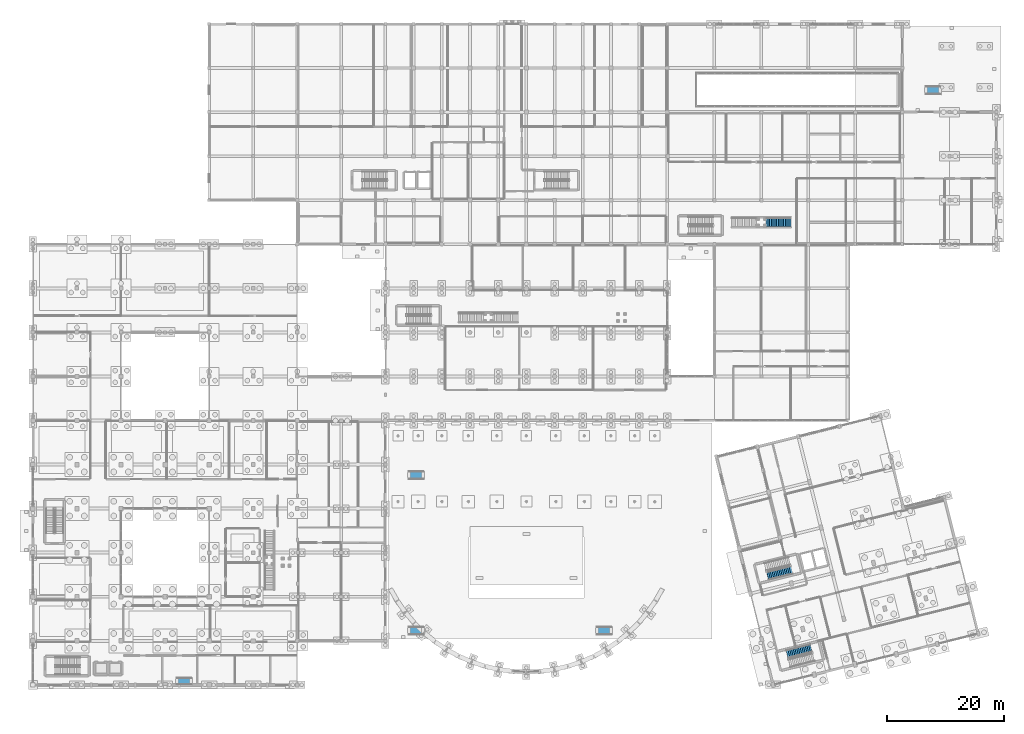
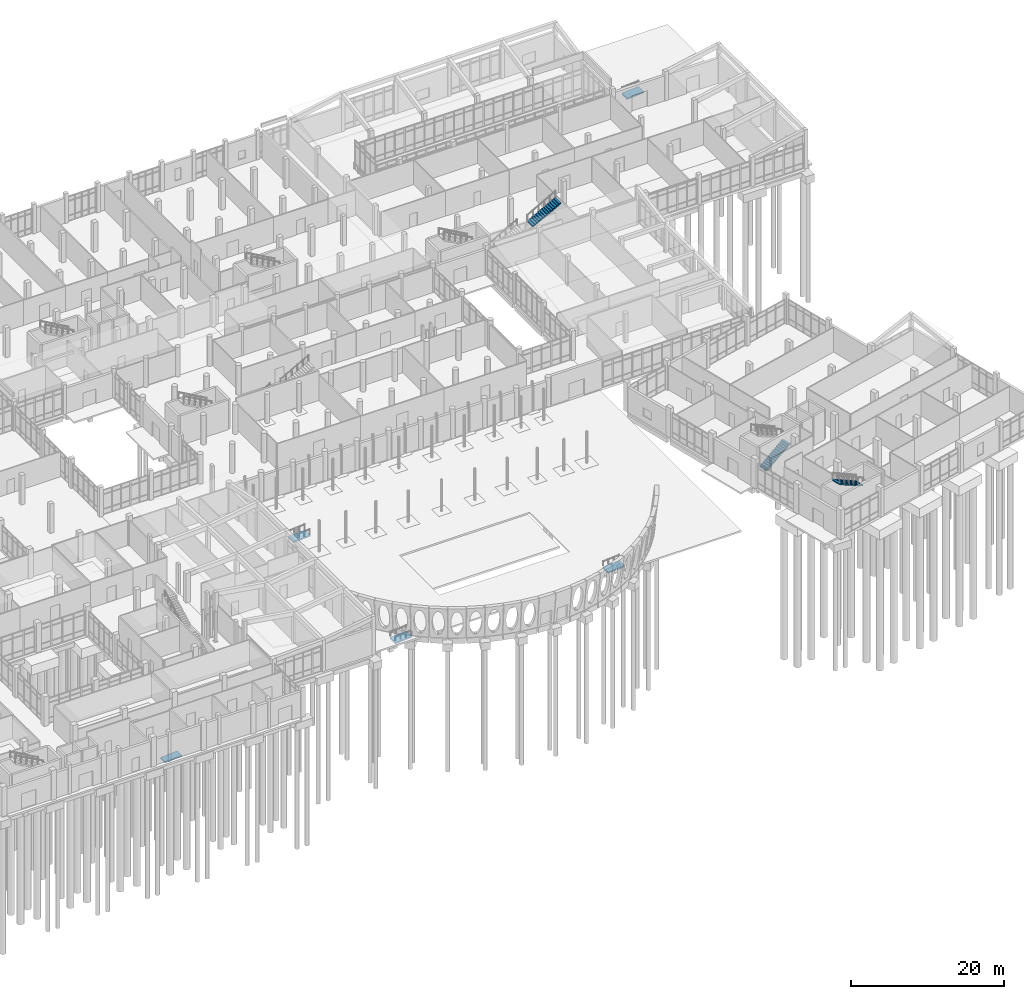
# One storey, part 162 of 173: 5 ramp flights, 3 stair flights, 8 elements without a shape of their own.
"""IFC4 building model written with IfcOpenShell, lengths in metres."""

from ifc_helpers import new_model, si_unit, direction, frame, origin, place, context, subcontext, project, spatial, polyline, outline, extrude, material, layer, layer_set, type_object, element, aggregate, save


model = new_model("IFC4")

# Units and contexts
model_context = context("Model", 3, precision=1e-05, world=origin(), true_north=direction((0.0, 1.0)))
body_context = subcontext(model_context, "Body", "Model", "MODEL_VIEW")
ifc_project = project(units=[si_unit("LENGTHUNIT", "METRE"), si_unit("AREAUNIT", "SQUARE_METRE"), si_unit("VOLUMEUNIT", "CUBIC_METRE"), si_unit("PLANEANGLEUNIT", "RADIAN"), si_unit("MASSUNIT", "GRAM", prefix="KILO")], contexts=[model_context])

# Site, building, storey
site_placement = place(None, origin())
site = spatial("IfcSite", under=ifc_project, at=site_placement, CompositionType="ELEMENT")
building_placement = place(site_placement, origin())
building = spatial("IfcBuilding", under=site, at=building_placement, Name="Mawjan Specialist Oncology Clinic", CompositionType="ELEMENT")
storey_placement = place(building_placement, origin())
storey = spatial("IfcBuildingStorey", under=building, at=storey_placement, Name="L00", CompositionType="ELEMENT", Elevation=0.0)

# Stair, stair flight
ifc_material_1 = material(Name="Concrete C35/45", Category="concrete")
stair_type_1 = type_object("IfcStairType", Name="STR-COMM", PredefinedType="STRAIGHT_RUN_STAIR", material=ifc_material_1)
stair_1_placement = place(storey_placement, origin())
stair_1 = element("IfcStair", 1, at=stair_1_placement, inside=storey, type_object=stair_type_1, Name="Imaging Forum Communicating Stair ST-12", PredefinedType="STRAIGHT_RUN_STAIR")
ifc_material_2 = material(Name="Concrete C35/45", Category="concrete")
ifc_layer_1 = layer(ifc_material_2, 0.159912109375, Name="Concrete C35/45", Category="concrete")
ifc_layer_set_1 = layer_set([ifc_layer_1], Name="Concrete C35/45")
stair_flight_type_1 = type_object("IfcStairFlightType", Name="FLT-COMM", PredefinedType="STRAIGHT", material=ifc_layer_set_1)
stair_flight_1_placement = place(storey_placement, frame((124.800048828125, 79.550048828125, 2.5), z_axis=(0.0, 0.0, 1.0), x_axis=(1.0, 0.0, 0.0)))
stair_flight_1 = element("IfcStairFlight", 2, at=stair_flight_1_placement, type_object=stair_flight_type_1, Name="ST-12 flight 2", NumberOfRisers=15, NumberOfTreads=14, PredefinedType="STRAIGHT", RiserHeight=0.166667, TreadLength=0.3, context=body_context, shape_type="SweptSolid", body=[
    extrude(outline(polyline([(-0.044921875, -0.0400390625), (-0.044921875, 0.0), (0.0, 0.0), (0.0, 0.166748046875), (0.300048828125, 0.166748046875), (0.300048828125, 0.333251953125), (0.60009765625, 0.333251953125), (0.60009765625, 0.5), (0.89990234375, 0.5), (0.89990234375, 0.666748046875), (1.199951171875, 0.666748046875), (1.199951171875, 0.833251953125), (1.5, 0.833251953125), (1.5, 1.0), (1.800048828125, 1.0), (1.800048828125, 1.166748046875), (2.10009765625, 1.166748046875), (2.10009765625, 1.333251953125), (2.39990234375, 1.333251953125), (2.39990234375, 1.5), (2.699951171875, 1.5), (2.699951171875, 1.666748046875), (3.0, 1.666748046875), (3.0, 1.833251953125), (3.300048828125, 1.833251953125), (3.300048828125, 2.0), (3.60009765625, 2.0), (3.60009765625, 2.166748046875), (3.89990234375, 2.166748046875), (3.89990234375, 2.333251953125), (4.199951171875, 2.333251953125), (4.2451171875, 2.333251953125), (4.2451171875, 2.17333984375), (0.044921875, -0.0400390625), (-0.044921875, -0.0400390625)])), frame((0.0, 0.72509765625, 0.0), z_axis=(0.0, -1.0, 0.0), x_axis=(1.0, 0.0, 0.0)), (0.0, 0.0, 1.0), 1.449951171875),
])
aggregate(stair_1, [stair_flight_1])

ifc_material_3 = material(Name="Concrete C35/45", Category="concrete")
stair_type_2 = type_object("IfcStairType", Name="STR-CORE50", PredefinedType="HALF_TURN_STAIR", material=ifc_material_3)
stair_2_placement = place(storey_placement, origin())
stair_2 = element("IfcStair", 3, at=stair_2_placement, inside=storey, type_object=stair_type_2, Name="L00 Exit Stair ST-05", PredefinedType="HALF_TURN_STAIR")
ifc_material_4 = material(Name="Concrete C35/45", Category="concrete")
ifc_layer_2 = layer(ifc_material_4, 0.14990234375, Name="Concrete C35/45", Category="concrete")
ifc_layer_set_2 = layer_set([ifc_layer_2], Name="Concrete C35/45")
stair_flight_type_2 = type_object("IfcStairFlightType", Name="FLT-CORE50", PredefinedType="STRAIGHT", material=ifc_layer_set_2)
stair_flight_2_placement = place(storey_placement, frame((125.090087890625, 19.330322265625, 0.0), z_axis=(0.0, 0.0, 1.0), x_axis=(0.970295726276, 0.2419218956, 0.0)))
stair_flight_2 = element("IfcStairFlight", 4, at=stair_flight_2_placement, type_object=stair_flight_type_2, Name="ST-05 flight 1", NumberOfRisers=15, NumberOfTreads=14, PredefinedType="STRAIGHT", RiserHeight=0.166666667, TreadLength=0.3, context=body_context, shape_type="SweptSolid", body=[
    extrude(outline(polyline([(-0.044921875, -0.0400390625), (-0.044921875, 0.0), (0.0, 0.0), (0.0, 0.166748046875), (0.300048828125, 0.166748046875), (0.300048828125, 0.333251953125), (0.60009765625, 0.333251953125), (0.60009765625, 0.5), (0.89990234375, 0.5), (0.89990234375, 0.666748046875), (1.199951171875, 0.666748046875), (1.199951171875, 0.833251953125), (1.5, 0.833251953125), (1.5, 1.0), (1.800048828125, 1.0), (1.800048828125, 1.166748046875), (2.10009765625, 1.166748046875), (2.10009765625, 1.333251953125), (2.39990234375, 1.333251953125), (2.39990234375, 1.5), (2.699951171875, 1.5), (2.699951171875, 1.666748046875), (3.0, 1.666748046875), (3.0, 1.833251953125), (3.300048828125, 1.833251953125), (3.300048828125, 2.0), (3.60009765625, 2.0), (3.60009765625, 2.166748046875), (3.89990234375, 2.166748046875), (3.89990234375, 2.333251953125), (4.199951171875, 2.333251953125), (4.2451171875, 2.333251953125), (4.2451171875, 2.183349609375), (0.044921875, -0.0400390625), (-0.044921875, -0.0400390625)])), frame((0.0, 0.699951171875, 0.0), z_axis=(0.0, -1.0, 0.0), x_axis=(1.0, 0.0, 0.0)), (0.0, 0.0, 1.0), 1.39990234375),
])
aggregate(stair_2, [stair_flight_2])

stair_3_placement = place(storey_placement, origin())
stair_3 = element("IfcStair", 5, at=stair_3_placement, inside=storey, type_object=stair_type_2, Name="L00 Exit Stair ST-06", PredefinedType="HALF_TURN_STAIR")
stair_flight_3_placement = place(storey_placement, frame((132.479736328125, 7.05322265625, 2.5), z_axis=(0.0, 0.0, 1.0), x_axis=(-0.970295726276, -0.2419218956, 0.0)))
stair_flight_3 = element("IfcStairFlight", 6, at=stair_flight_3_placement, type_object=stair_flight_type_2, Name="ST-06 flight 2", NumberOfRisers=15, NumberOfTreads=14, PredefinedType="STRAIGHT", RiserHeight=0.166666667, TreadLength=0.3, context=body_context, shape_type="SweptSolid", body=[
    extrude(outline(polyline([(-0.044921875, -0.0400390625), (-0.044921875, 0.0), (0.0, 0.0), (0.0, 0.166748046875), (0.300048828125, 0.166748046875), (0.300048828125, 0.333251953125), (0.60009765625, 0.333251953125), (0.60009765625, 0.5), (0.89990234375, 0.5), (0.89990234375, 0.666748046875), (1.199951171875, 0.666748046875), (1.199951171875, 0.833251953125), (1.5, 0.833251953125), (1.5, 1.0), (1.800048828125, 1.0), (1.800048828125, 1.166748046875), (2.10009765625, 1.166748046875), (2.10009765625, 1.333251953125), (2.39990234375, 1.333251953125), (2.39990234375, 1.5), (2.699951171875, 1.5), (2.699951171875, 1.666748046875), (3.0, 1.666748046875), (3.0, 1.833251953125), (3.300048828125, 1.833251953125), (3.300048828125, 2.0), (3.60009765625, 2.0), (3.60009765625, 2.166748046875), (3.89990234375, 2.166748046875), (3.89990234375, 2.333251953125), (4.199951171875, 2.333251953125), (4.2451171875, 2.333251953125), (4.2451171875, 2.183349609375), (0.044921875, -0.0400390625), (-0.044921875, -0.0400390625)])), frame((0.0, 0.699951171875, 0.0), z_axis=(0.0, -1.0, 0.0), x_axis=(1.0, 0.0, 0.0)), (0.0, 0.0, 1.0), 1.39990234375),
])
aggregate(stair_3, [stair_flight_3])

# Ramp, ramp flight
ifc_material_5 = material(Name="Concrete C40/50", Category="concrete")
ramp_type = type_object("IfcRampType", Name="RMP-PED", PredefinedType="STRAIGHT_RUN_RAMP", material=ifc_material_5)
ramp_1_placement = place(storey_placement, origin())
ramp_1 = element("IfcRamp", 7, at=ramp_1_placement, inside=storey, type_object=ramp_type, Name="Pedestrian Entrance Ramp PR-01", PredefinedType="STRAIGHT_RUN_RAMP")
ifc_material_6 = material(Name="Concrete C40/50", Category="concrete")
ifc_layer_3 = layer(ifc_material_6, 0.219970703125, Name="Concrete C40/50", Category="concrete")
ifc_layer_set_3 = layer_set([ifc_layer_3], Name="Concrete C40/50")
ramp_flight_type = type_object("IfcRampFlightType", Name="RFL-PED", PredefinedType="STRAIGHT", material=ifc_layer_set_3)
ramp_flight_1_placement = place(storey_placement, frame((24.5, 1.449951171875, -0.179931640625), z_axis=(0.0, 0.0, 1.0), x_axis=(1.0, 0.0, 0.0)))
ramp_flight_1 = element("IfcRampFlight", 8, at=ramp_flight_1_placement, type_object=ramp_flight_type, Name="Pedestrian Entrance Ramp PR-01 Flight 1", PredefinedType="STRAIGHT", context=body_context, shape_type="SweptSolid", body=[
    extrude(outline(polyline([(-0.06005859375, -0.219970703125), (2.4599609375, -0.0400390625), (2.4599609375, 0.179931640625), (-0.06005859375, 0.0), (-0.06005859375, -0.219970703125)])), frame((0.0, 0.60009765625, 0.0), z_axis=(0.0, -1.0, 0.0), x_axis=(1.0, 0.0, 0.0)), (0.0, 0.0, 1.0), 1.199951171875),
])
aggregate(ramp_1, [ramp_flight_1])

ramp_2_placement = place(storey_placement, origin())
ramp_2 = element("IfcRamp", 9, at=ramp_2_placement, inside=storey, type_object=ramp_type, Name="Boulevard Forecourt Ramp PR-02", PredefinedType="STRAIGHT_RUN_RAMP")
ramp_flight_2_placement = place(storey_placement, frame((64.0, 10.0, -0.179931640625), z_axis=(0.0, 0.0, 1.0), x_axis=(1.0, 0.0, 0.0)))
ramp_flight_2 = element("IfcRampFlight", 10, at=ramp_flight_2_placement, type_object=ramp_flight_type, Name="Boulevard Forecourt Ramp PR-02 Flight 1", PredefinedType="STRAIGHT", context=body_context, shape_type="SweptSolid", body=[
    extrude(outline(polyline([(-0.06005859375, -0.219970703125), (2.4599609375, -0.0400390625), (2.4599609375, 0.179931640625), (-0.06005859375, 0.0), (-0.06005859375, -0.219970703125)])), frame((0.0, 0.699951171875, 0.0), z_axis=(0.0, -1.0, 0.0), x_axis=(1.0, 0.0, 0.0)), (0.0, 0.0, 1.0), 1.39990234375),
])
aggregate(ramp_2, [ramp_flight_2])

ramp_3_placement = place(storey_placement, origin())
ramp_3 = element("IfcRamp", 11, at=ramp_3_placement, inside=storey, type_object=ramp_type, Name="Research Wing Entry Ramp PR-03", PredefinedType="STRAIGHT_RUN_RAMP")
ramp_flight_3_placement = place(storey_placement, frame((96.0, 10.0, -0.179931640625), z_axis=(0.0, 0.0, 1.0), x_axis=(1.0, 0.0, 0.0)))
ramp_flight_3 = element("IfcRampFlight", 12, at=ramp_flight_3_placement, type_object=ramp_flight_type, Name="Research Wing Entry Ramp PR-03 Flight 1", PredefinedType="STRAIGHT", context=body_context, shape_type="SweptSolid", body=[
    extrude(outline(polyline([(-0.06005859375, -0.219970703125), (2.4599609375, -0.0400390625), (2.4599609375, 0.179931640625), (-0.06005859375, 0.0), (-0.06005859375, -0.219970703125)])), frame((0.0, 0.699951171875, 0.0), z_axis=(0.0, -1.0, 0.0), x_axis=(1.0, 0.0, 0.0)), (0.0, 0.0, 1.0), 1.39990234375),
])
aggregate(ramp_3, [ramp_flight_3])

ramp_4_placement = place(storey_placement, origin())
ramp_4 = element("IfcRamp", 13, at=ramp_4_placement, inside=storey, type_object=ramp_type, Name="Diagnostic Drop-Off Ramp PR-04", PredefinedType="STRAIGHT_RUN_RAMP")
ramp_flight_4_placement = place(storey_placement, frame((152.0, 102.0, -0.179931640625), z_axis=(0.0, 0.0, 1.0), x_axis=(1.0, 0.0, 0.0)))
ramp_flight_4 = element("IfcRampFlight", 14, at=ramp_flight_4_placement, type_object=ramp_flight_type, Name="Diagnostic Drop-Off Ramp PR-04 Flight 1", PredefinedType="STRAIGHT", context=body_context, shape_type="SweptSolid", body=[
    extrude(outline(polyline([(-0.06005859375, -0.219970703125), (2.4599609375, -0.0400390625), (2.4599609375, 0.179931640625), (-0.06005859375, 0.0), (-0.06005859375, -0.219970703125)])), frame((0.0, 0.699951171875, 0.0), z_axis=(0.0, -1.0, 0.0), x_axis=(1.0, 0.0, 0.0)), (0.0, 0.0, 1.0), 1.39990234375),
])
aggregate(ramp_4, [ramp_flight_4])

ramp_5_placement = place(storey_placement, origin())
ramp_5 = element("IfcRamp", 15, at=ramp_5_placement, inside=storey, type_object=ramp_type, Name="Healing Courtyard Entry Ramp PR-05", PredefinedType="STRAIGHT_RUN_RAMP")
ramp_flight_5_placement = place(storey_placement, frame((64.0, 36.5, -0.179931640625), z_axis=(0.0, 0.0, 1.0), x_axis=(1.0, 0.0, 0.0)))
ramp_flight_5 = element("IfcRampFlight", 16, at=ramp_flight_5_placement, type_object=ramp_flight_type, Name="Healing Courtyard Entry Ramp PR-05 Flight 1", PredefinedType="STRAIGHT", context=body_context, shape_type="SweptSolid", body=[
    extrude(outline(polyline([(-0.06005859375, -0.219970703125), (2.4599609375, -0.0400390625), (2.4599609375, 0.179931640625), (-0.06005859375, 0.0), (-0.06005859375, -0.219970703125)])), frame((0.0, 0.699951171875, 0.0), z_axis=(0.0, -1.0, 0.0), x_axis=(1.0, 0.0, 0.0)), (0.0, 0.0, 1.0), 1.39990234375),
])
aggregate(ramp_5, [ramp_flight_5])

save(model, "model.ifc")
